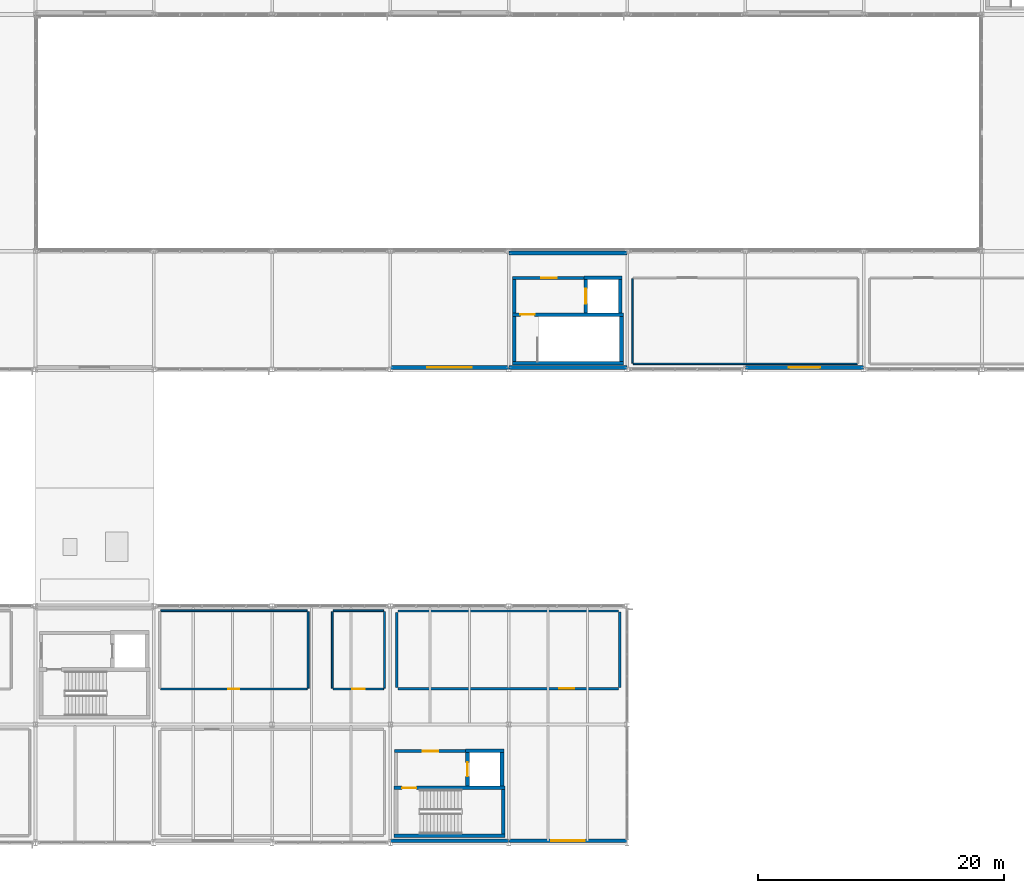
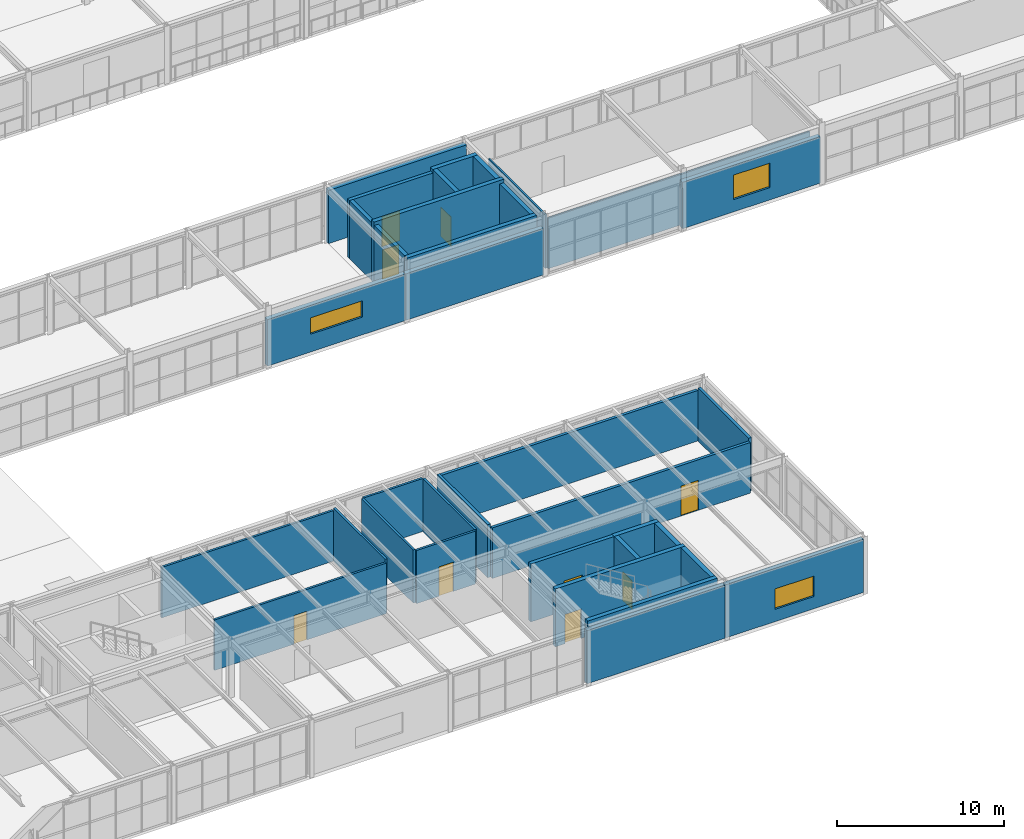
# One storey, part 152 of 170: 35 walls, 9 doors, 3 windows, 12 openings.
"""IFC4 building model written with IfcOpenShell, lengths in metres."""

import ifcopenshell
import ifcopenshell.guid

model = None  # the IFC model being written
_history = None  # IfcOwnerHistory: only IFC2X3 demands one
_inside = {}  # id of a spatial element -> (the spatial element, [elements in it])
_under = {}  # id of a project, library or spatial element -> (it, [spatial elements below it])
_declared = {}  # id of a project -> (the project, [libraries it declares])
_typed = {}  # id of a type object -> (the type object, [elements of that type])
_made_of = {}  # id of a material, layer set ... -> (it, [elements and type objects made of it])


def new_model(schema):
    """Start an empty IFC model of exactly this schema.

    Asked for "IFC4X3", IfcOpenShell would pick the latest addendum, in which some entities
    have other attributes; the version numbers below select the first issue.
    IFC2X3 requires an IfcOwnerHistory on every rooted entity: one is made here for all.
    """
    global model, _history
    if schema == "IFC4X3":
        model = ifcopenshell.file(schema_version=(4, 3, 0, 0))
    else:
        model = ifcopenshell.file(schema=schema)
    _inside.clear()
    _under.clear()
    _declared.clear()
    _typed.clear()
    _made_of.clear()
    _history = None
    if model.schema == "IFC2X3":
        org = make("IfcOrganization", Name="unknown")
        user = make(
            "IfcPersonAndOrganization",
            ThePerson=make("IfcPerson", FamilyName="unknown"),
            TheOrganization=org,
        )
        app = make(
            "IfcApplication",
            ApplicationDeveloper=org,
            Version="unknown",
            ApplicationFullName="unknown",
            ApplicationIdentifier="unknown",
        )
        _history = make(
            "IfcOwnerHistory",
            OwningUser=user,
            OwningApplication=app,
            ChangeAction="ADDED",
            CreationDate=0,
        )
    return model


def make(cls, **values):
    """One entity of the class cls with the attributes given. An attribute that is None is left unset."""
    return model.create_entity(
        cls, **{name: value for name, value in values.items() if value is not None}
    )


def rooted(cls, **values):
    """An entity with a GlobalId (a new one), such as an element, a storey or a relation."""
    return make(cls, GlobalId=ifcopenshell.guid.new(), OwnerHistory=_history, **values)


def si_unit(unit_type, name, prefix=None):
    """IfcSIUnit, for example si_unit("LENGTHUNIT", "METRE", prefix="MILLI")."""
    return make("IfcSIUnit", UnitType=unit_type, Prefix=prefix, Name=name)


def assignment(units):
    """IfcUnitAssignment: the units of a project."""
    return None if units is None else make("IfcUnitAssignment", Units=units)


def point(xyz):
    """IfcCartesianPoint."""
    return None if xyz is None else make("IfcCartesianPoint", Coordinates=xyz)


def direction(xyz):
    """IfcDirection."""
    return None if xyz is None else make("IfcDirection", DirectionRatios=xyz)


def frame(location, z_axis=None, x_axis=None):
    """IfcAxis2Placement3D, a coordinate frame: its origin and axes. An axis left out is left unset."""
    return make(
        "IfcAxis2Placement3D",
        Location=point(location),
        Axis=direction(z_axis),
        RefDirection=direction(x_axis),
    )


def frame_2d(location, x_axis=None):
    """IfcAxis2Placement2D, a coordinate frame in the plane: its origin and x axis."""
    return make(
        "IfcAxis2Placement2D", Location=point(location), RefDirection=direction(x_axis)
    )


def origin():
    """The frame at (0, 0, 0) with its axes left unset."""
    return frame((0.0, 0.0, 0.0))


def place(relative_to, where):
    """IfcLocalPlacement: puts the frame where relative to a parent placement (None: the world)."""
    return make(
        "IfcLocalPlacement", PlacementRelTo=relative_to, RelativePlacement=where
    )


def context(
    kind, dimensions, precision=None, world=None, true_north=None, identifier=None
):
    """IfcGeometricRepresentationContext, for example the 3D "Model" context."""
    return make(
        "IfcGeometricRepresentationContext",
        ContextIdentifier=identifier,
        ContextType=kind,
        CoordinateSpaceDimension=dimensions,
        Precision=precision,
        WorldCoordinateSystem=world,
        TrueNorth=true_north,
    )


def subcontext(parent, identifier, kind, view, scale=None):
    """IfcGeometricRepresentationSubContext, for example "Body" below "Model"."""
    return make(
        "IfcGeometricRepresentationSubContext",
        ContextIdentifier=identifier,
        ContextType=kind,
        ParentContext=parent,
        TargetScale=scale,
        TargetView=view,
    )


def project(units=None, contexts=None):
    """IfcProject with its units and contexts."""
    return rooted(
        "IfcProject",
        Name="project",
        RepresentationContexts=contexts,
        UnitsInContext=assignment(units),
    )


def spatial(cls, under=None, at=None, **own):
    """A site, building, storey or space (cls), placed at a placement, below another one or the project."""
    s = rooted(cls, ObjectPlacement=at, **own)
    if under is not None:
        _under.setdefault(under.id(), (under, []))[1].append(s)
    return s


def profile(cls, at=None, kind="AREA", **sizes):
    """A parametric profile (cls). Its sizes go by their IFC names, for example OverallWidth=200.0."""
    return make(cls, ProfileType=kind, Position=at, **sizes)


def rectangle(**sizes):
    """IfcRectangleProfileDef."""
    return profile("IfcRectangleProfileDef", **sizes)


def extrude(swept, where, along, depth):
    """IfcExtrudedAreaSolid: the profile swept, set in the frame where, extruded along a direction by depth."""
    return make(
        "IfcExtrudedAreaSolid",
        SweptArea=swept,
        Position=where,
        ExtrudedDirection=direction(along),
        Depth=depth,
    )


def shape(context_of_items, identifier, shape_type, items):
    """IfcShapeRepresentation: the items that make up one representation, for example the "Body"."""
    return make(
        "IfcShapeRepresentation",
        ContextOfItems=context_of_items,
        RepresentationIdentifier=identifier,
        RepresentationType=shape_type,
        Items=items,
    )


def material(Name=None, Category=None):
    """IfcMaterial."""
    return make("IfcMaterial", Name=Name, Category=Category)


def layer(
    of_material, thickness, ventilated=None, Name=None, Category=None, Priority=None
):
    """IfcMaterialLayer: one layer of a wall or slab, of a material (None: an air gap)."""
    return make(
        "IfcMaterialLayer",
        Material=of_material,
        LayerThickness=thickness,
        IsVentilated=ventilated,
        Name=Name,
        Category=Category,
        Priority=Priority,
    )


def layer_set(layers, Name=None):
    """IfcMaterialLayerSet."""
    return make("IfcMaterialLayerSet", MaterialLayers=layers, LayerSetName=Name)


def made_of(thing, what):
    """Note that an element or type object is made of a material, layer set ...; save() writes the relation."""
    if what is not None:
        _made_of.setdefault(what.id(), (what, []))[1].append(thing)
    return thing


def type_object(cls, material=None, **own):
    """A type object (cls), such as IfcWallType, which elements share."""
    return made_of(rooted(cls, **own), material)


def element(
    cls,
    number,
    at=None,
    inside=None,
    cuts=None,
    type_object=None,
    material=None,
    context=None,
    identifier="Body",
    shape_type=None,
    held_by="IfcProductDefinitionShape",
    body=None,
    shapes=None,
    **own,
):
    """One element of the class cls, such as IfcWall. Its Tag is "e" and its number.

    at: its placement. inside: the storey or other place that contains it. cuts: it is an
    opening in that element (IfcRelVoidsElement). A single representation is given by context,
    identifier, shape_type and body (its items); several are given by shapes. held_by: the class
    of the entity that holds the representations. save() writes the other relations.
    """
    e = rooted(cls, Tag="e%d" % number, ObjectPlacement=at, **own)
    if body is not None:
        shapes = [shape(context, identifier, shape_type, body)]
    if shapes is not None:
        e.Representation = make(held_by, Representations=shapes)
    if inside is not None:
        _inside.setdefault(inside.id(), (inside, []))[1].append(e)
    if cuts is not None:
        rooted(
            "IfcRelVoidsElement", RelatingBuildingElement=cuts, RelatedOpeningElement=e
        )
    if type_object is not None:
        _typed.setdefault(type_object.id(), (type_object, []))[1].append(e)
    return made_of(e, material)


def fill(opening, filler):
    """IfcRelFillsElement: the door or window that sits in an opening."""
    return rooted(
        "IfcRelFillsElement",
        RelatingOpeningElement=opening,
        RelatedBuildingElement=filler,
    )


def aggregate(whole, parts):
    """IfcRelAggregates: a whole, such as a stair, and the parts it consists of."""
    return rooted("IfcRelAggregates", RelatingObject=whole, RelatedObjects=parts)


def save(model, path):
    """Write the relations noted so far, then the file.

    IfcRelAggregates (storeys below a building ...), IfcRelContainedInSpatialStructure (elements
    in a storey), IfcRelDefinesByType, IfcRelAssociatesMaterial and IfcRelDeclares: one each for
    every whole, place, type object, material and project.
    """
    for whole, parts in _under.values():
        aggregate(whole, parts)
    for where, things in _inside.values():
        rooted(
            "IfcRelContainedInSpatialStructure",
            RelatedElements=things,
            RelatingStructure=where,
        )
    for kind, things in _typed.values():
        rooted("IfcRelDefinesByType", RelatedObjects=things, RelatingType=kind)
    for what, things in _made_of.values():
        rooted("IfcRelAssociatesMaterial", RelatedObjects=things, RelatingMaterial=what)
    for by, libraries in _declared.values():
        rooted("IfcRelDeclares", RelatingContext=by, RelatedDefinitions=libraries)
    model.write(path)


model = new_model("IFC4")

# Units and contexts
model_context = context("Model", 3, precision=1e-05, world=origin(), true_north=direction((0.0, 1.0)))
body_context = subcontext(model_context, "Body", "Model", "MODEL_VIEW")
ifc_project = project(units=[si_unit("LENGTHUNIT", "METRE"), si_unit("AREAUNIT", "SQUARE_METRE"), si_unit("VOLUMEUNIT", "CUBIC_METRE"), si_unit("PLANEANGLEUNIT", "RADIAN"), si_unit("MASSUNIT", "GRAM", prefix="KILO")], contexts=[model_context])

# Site, building, storey
site_placement = place(None, origin())
site = spatial("IfcSite", under=ifc_project, at=site_placement, CompositionType="ELEMENT")
building_placement = place(site_placement, origin())
building = spatial("IfcBuilding", under=site, at=building_placement, Name="Coralgate Yard Interchange", CompositionType="ELEMENT")
storey_placement = place(building_placement, frame((0.0, 0.0, 6.0)))
storey = spatial("IfcBuildingStorey", under=building, at=storey_placement, Name="L01", CompositionType="ELEMENT", Elevation=6.0)

# Wall
ifc_material_1 = material(Name="Concrete C40/50", Category="concrete")
ifc_layer_1 = layer(ifc_material_1, 0.300048828125)
ifc_layer_set_1 = layer_set([ifc_layer_1], Name="Concrete C40/50")
wall_type_1 = type_object("IfcWallType", Name="WAL-CW300", PredefinedType="SHEAR", material=ifc_layer_set_1)
wall_1_placement = place(storey_placement, frame((77.10009765625, 0.570068359375, 0.0), z_axis=(0.0, 0.0, 1.0), x_axis=(1.0, 0.0, 0.0)))
element("IfcWall", 1, at=wall_1_placement, inside=storey, type_object=wall_type_1, Name="C4 L01 stair south shear wall", PredefinedType="SHEAR", context=body_context, shape_type="SweptSolid", body=[
    extrude(rectangle(XDim=9.0, YDim=0.300048828125, at=frame_2d((4.5, 0.0))), origin(), (0.0, 0.0, 1.0), 4.25),
])

# Wall, opening, door
wall_2_placement = place(storey_placement, frame((86.10009765625, 4.449951171875, 0.0), z_axis=(0.0, 0.0, 1.0), x_axis=(-1.0, 0.0, 0.0)))
wall_2 = element("IfcWall", 2, at=wall_2_placement, inside=storey, type_object=wall_type_1, Name="C4 L01 stair north shear wall", PredefinedType="SHEAR", context=body_context, shape_type="SweptSolid", body=[
    extrude(rectangle(XDim=9.0, YDim=0.300048828125, at=frame_2d((4.5, 0.0))), origin(), (0.0, 0.0, 1.0), 4.25),
])
opening_1_placement = place(wall_2_placement, frame((7.199951171875, 0.0, 0.0)))
opening_1 = element("IfcOpeningElement", 3, at=opening_1_placement, cuts=wall_2, Name="Opening FD-1B", PredefinedType="OPENING", context=body_context, shape_type="SweptSolid", body=[
    extrude(rectangle(XDim=1.14990234375, YDim=2.14990234375, at=frame_2d((0.574951171875, 1.074951171875))), frame((0.0, 0.159912109375, 0.0), z_axis=(0.0, -1.0, 0.0), x_axis=(1.0, 0.0, 0.0)), (0.0, 0.0, 1.0), 0.320068359375),
])
ifc_material_2 = material(Name="Powder-coated steel fire door assembly", Category="steel")
door_type_1 = type_object("IfcDoorType", Name="DOR-FD-1B", OperationType="NOTDEFINED", PredefinedType="DOOR", material=ifc_material_2)
door_1_placement = place(opening_1_placement, frame((1.14990234375, 0.0, 0.0), z_axis=(0.0, 0.0, 1.0), x_axis=(-1.0, 0.0, 0.0)))
door_1 = element("IfcDoor", 4, at=door_1_placement, inside=storey, type_object=door_type_1, Name="C4 L01 stair fire door", OperationType="SINGLE_SWING_LEFT", OverallHeight=2.14990234375, OverallWidth=1.14990234375, PredefinedType="DOOR", context=body_context, shape_type="SweptSolid", body=[
    extrude(rectangle(XDim=1.14990234375, YDim=2.14990234375, at=frame_2d((0.574951171875, 1.074951171875))), frame((0.0, 0.02490234375, 0.0), z_axis=(0.0, -1.0, 0.0), x_axis=(1.0, 0.0, 0.0)), (0.0, 0.0, 1.0), 0.050048828125),
])
fill(opening_1, door_1)

# Wall
wall_3_placement = place(storey_placement, frame((85.949951171875, 4.300048828125, 0.0), z_axis=(0.0, 0.0, 1.0), x_axis=(0.0, -1.0, 0.0)))
element("IfcWall", 5, at=wall_3_placement, inside=storey, type_object=wall_type_1, Name="C4 L01 stair east shear wall", PredefinedType="SHEAR", context=body_context, shape_type="SweptSolid", body=[
    extrude(rectangle(XDim=3.580078125, YDim=0.300048828125, at=frame_2d((1.7900390625, 0.0))), origin(), (0.0, 0.0, 1.0), 4.25),
])

# Wall, opening, door
wall_4_placement = place(storey_placement, frame((83.050048828125, 7.300048828125, 0.0), z_axis=(0.0, 0.0, 1.0), x_axis=(0.0, -1.0, 0.0)))
wall_4 = element("IfcWall", 6, at=wall_4_placement, inside=storey, type_object=wall_type_1, Name="C4 L01 lift front shear wall", PredefinedType="SHEAR", context=body_context, shape_type="SweptSolid", body=[
    extrude(rectangle(XDim=2.699951171875, YDim=0.300048828125, at=frame_2d((1.35009765625, 0.0))), origin(), (0.0, 0.0, 1.0), 4.25),
])
opening_2_placement = place(wall_4_placement, frame((0.77490234375, 0.0, 0.0)))
opening_2 = element("IfcOpeningElement", 7, at=opening_2_placement, cuts=wall_4, Name="Opening LD-2", PredefinedType="OPENING", context=body_context, shape_type="SweptSolid", body=[
    extrude(rectangle(XDim=1.14990234375, YDim=2.10009765625, at=frame_2d((0.574951171875, 1.050048828125))), frame((0.0, 0.159912109375, 0.0), z_axis=(0.0, -1.0, 0.0), x_axis=(1.0, 0.0, 0.0)), (0.0, 0.0, 1.0), 0.320068359375),
])
ifc_material_3 = material(Name="Brushed stainless steel passenger lift landing door", Category="steel")
door_type_2 = type_object("IfcDoorType", Name="DOR-LD-2", OperationType="DOUBLE_DOOR_SLIDING", PredefinedType="DOOR", material=ifc_material_3)
door_2_placement = place(opening_2_placement, frame((1.14990234375, 0.0, 0.0), z_axis=(0.0, 0.0, 1.0), x_axis=(-1.0, 0.0, 0.0)))
door_2 = element("IfcDoor", 8, at=door_2_placement, inside=storey, type_object=door_type_2, Name="LF-02 L01 sliding lift landing door", OperationType="DOUBLE_DOOR_SLIDING", OverallHeight=2.10009765625, OverallWidth=1.14990234375, PredefinedType="DOOR", context=body_context, shape_type="SweptSolid", body=[
    extrude(rectangle(XDim=1.14990234375, YDim=2.10009765625, at=frame_2d((0.574951171875, 1.050048828125))), frame((0.0, 0.02490234375, 0.0), z_axis=(0.0, -1.0, 0.0), x_axis=(1.0, 0.0, 0.0)), (0.0, 0.0, 1.0), 0.050048828125),
])
fill(opening_2, door_2)

# Walls
wall_5_placement = place(storey_placement, frame((85.85009765625, 4.60009765625, 0.0), z_axis=(0.0, 0.0, 1.0), x_axis=(0.0, 1.0, 0.0)))
element("IfcWall", 9, at=wall_5_placement, inside=storey, type_object=wall_type_1, Name="C4 L01 lift rear shear wall", PredefinedType="SHEAR", context=body_context, shape_type="SweptSolid", body=[
    extrude(rectangle(XDim=2.699951171875, YDim=0.300048828125, at=frame_2d((1.35009765625, 0.0))), origin(), (0.0, 0.0, 1.0), 4.25),
])
wall_6_placement = place(storey_placement, frame((82.89990234375, 7.449951171875, 0.0), z_axis=(0.0, 0.0, 1.0), x_axis=(1.0, 0.0, 0.0)))
element("IfcWall", 10, at=wall_6_placement, inside=storey, type_object=wall_type_1, Name="C4 L01 lift north shear wall", PredefinedType="SHEAR", context=body_context, shape_type="SweptSolid", body=[
    extrude(rectangle(XDim=3.10009765625, YDim=0.300048828125, at=frame_2d((1.550048828125, 0.0))), origin(), (0.0, 0.0, 1.0), 4.25),
])
wall_7_placement = place(storey_placement, frame((86.699951171875, 38.89990234375, 0.0), z_axis=(0.0, 0.0, 1.0), x_axis=(1.0, 0.0, 0.0)))
element("IfcWall", 11, at=wall_7_placement, inside=storey, type_object=wall_type_1, Name="C6 L01 stair south shear wall", PredefinedType="SHEAR", context=body_context, shape_type="SweptSolid", body=[
    extrude(rectangle(XDim=9.0, YDim=0.300048828125, at=frame_2d((4.5, 0.0))), origin(), (0.0, 0.0, 1.0), 4.25),
])

# Wall, opening, door
wall_8_placement = place(storey_placement, frame((95.699951171875, 42.85009765625, 0.0), z_axis=(0.0, 0.0, 1.0), x_axis=(-1.0, 0.0, 0.0)))
wall_8 = element("IfcWall", 12, at=wall_8_placement, inside=storey, type_object=wall_type_1, Name="C6 L01 stair north shear wall", PredefinedType="SHEAR", context=body_context, shape_type="SweptSolid", body=[
    extrude(rectangle(XDim=9.0, YDim=0.300048828125, at=frame_2d((4.5, 0.0))), origin(), (0.0, 0.0, 1.0), 4.5),
])
opening_3_placement = place(wall_8_placement, frame((7.199951171875, 0.0, 0.0)))
opening_3 = element("IfcOpeningElement", 13, at=opening_3_placement, cuts=wall_8, Name="Opening FD-1B", PredefinedType="OPENING", context=body_context, shape_type="SweptSolid", body=[
    extrude(rectangle(XDim=1.14990234375, YDim=2.14990234375, at=frame_2d((0.574951171875, 1.074951171875))), frame((0.0, 0.159912109375, 0.0), z_axis=(0.0, -1.0, 0.0), x_axis=(1.0, 0.0, 0.0)), (0.0, 0.0, 1.0), 0.320068359375),
])
door_3_placement = place(opening_3_placement, frame((1.14990234375, 0.0, 0.0), z_axis=(0.0, 0.0, 1.0), x_axis=(-1.0, 0.0, 0.0)))
door_3 = element("IfcDoor", 14, at=door_3_placement, inside=storey, type_object=door_type_1, Name="C6 L01 stair fire door", OperationType="SINGLE_SWING_LEFT", OverallHeight=2.14990234375, OverallWidth=1.14990234375, PredefinedType="DOOR", context=body_context, shape_type="SweptSolid", body=[
    extrude(rectangle(XDim=1.14990234375, YDim=2.14990234375, at=frame_2d((0.574951171875, 1.074951171875))), frame((0.0, 0.02490234375, 0.0), z_axis=(0.0, -1.0, 0.0), x_axis=(1.0, 0.0, 0.0)), (0.0, 0.0, 1.0), 0.050048828125),
])
fill(opening_3, door_3)

# Walls
for number, where, z_axis, x_axis, name in (
    (15, (86.85009765625, 39.050048828125, 0.0), (0.0, 0.0, 1.0), (0.0, 1.0, 0.0), "C6 L01 stair west shear wall"),
    (16, (95.550048828125, 42.699951171875, 0.0), (0.0, 0.0, 1.0), (0.0, -1.0, 0.0), "C6 L01 stair east shear wall"),
):
    element("IfcWall", number, at=place(storey_placement, frame(where, z_axis=z_axis, x_axis=x_axis)), inside=storey, type_object=wall_type_1, Name=name, PredefinedType="SHEAR", context=body_context, shape_type="SweptSolid", body=[
        extrude(rectangle(XDim=3.64990234375, YDim=0.300048828125, at=frame_2d((1.824951171875, 0.0))), origin(), (0.0, 0.0, 1.0), 4.25),
    ])

# Wall, opening, door
wall_9_placement = place(storey_placement, frame((92.64990234375, 45.699951171875, 0.0), z_axis=(0.0, 0.0, 1.0), x_axis=(0.0, -1.0, 0.0)))
wall_9 = element("IfcWall", 17, at=wall_9_placement, inside=storey, type_object=wall_type_1, Name="C6 L01 lift front shear wall", PredefinedType="SHEAR", context=body_context, shape_type="SweptSolid", body=[
    extrude(rectangle(XDim=2.699951171875, YDim=0.300048828125, at=frame_2d((1.35009765625, 0.0))), origin(), (0.0, 0.0, 1.0), 4.5),
])
opening_4_placement = place(wall_9_placement, frame((0.739990234375, 0.0, 0.0)))
opening_4 = element("IfcOpeningElement", 18, at=opening_4_placement, cuts=wall_9, Name="Opening LD-3", PredefinedType="OPENING", context=body_context, shape_type="SweptSolid", body=[
    extrude(rectangle(XDim=1.219970703125, YDim=2.14990234375, at=frame_2d((0.60986328125, 1.074951171875))), frame((0.0, 0.159912109375, 0.0), z_axis=(0.0, -1.0, 0.0), x_axis=(1.0, 0.0, 0.0)), (0.0, 0.0, 1.0), 0.320068359375),
])
ifc_material_4 = material(Name="Brushed stainless steel concourse lift landing door", Category="steel")
door_type_3 = type_object("IfcDoorType", Name="DOR-LD-3", OperationType="DOUBLE_DOOR_SLIDING", PredefinedType="DOOR", material=ifc_material_4)
door_4_placement = place(opening_4_placement, frame((1.219970703125, 0.0, 0.0), z_axis=(0.0, 0.0, 1.0), x_axis=(-1.0, 0.0, 0.0)))
door_4 = element("IfcDoor", 19, at=door_4_placement, inside=storey, type_object=door_type_3, Name="LF-04 L01 sliding lift landing door", OperationType="DOUBLE_DOOR_SLIDING", OverallHeight=2.14990234375, OverallWidth=1.219970703125, PredefinedType="DOOR", context=body_context, shape_type="SweptSolid", body=[
    extrude(rectangle(XDim=1.219970703125, YDim=2.14990234375, at=frame_2d((0.60986328125, 1.074951171875))), frame((0.0, 0.02490234375, 0.0), z_axis=(0.0, -1.0, 0.0), x_axis=(1.0, 0.0, 0.0)), (0.0, 0.0, 1.0), 0.050048828125),
])
fill(opening_4, door_4)

# Walls
wall_10_placement = place(storey_placement, frame((95.449951171875, 43.0, 0.0), z_axis=(0.0, 0.0, 1.0), x_axis=(0.0, 1.0, 0.0)))
element("IfcWall", 20, at=wall_10_placement, inside=storey, type_object=wall_type_1, Name="C6 L01 lift rear shear wall", PredefinedType="SHEAR", context=body_context, shape_type="SweptSolid", body=[
    extrude(rectangle(XDim=2.699951171875, YDim=0.300048828125, at=frame_2d((1.35009765625, 0.0))), origin(), (0.0, 0.0, 1.0), 4.5),
])
wall_11_placement = place(storey_placement, frame((92.5, 45.85009765625, 0.0), z_axis=(0.0, 0.0, 1.0), x_axis=(1.0, 0.0, 0.0)))
element("IfcWall", 21, at=wall_11_placement, inside=storey, type_object=wall_type_1, Name="C6 L01 lift north shear wall", PredefinedType="SHEAR", context=body_context, shape_type="SweptSolid", body=[
    extrude(rectangle(XDim=3.10009765625, YDim=0.300048828125, at=frame_2d((1.550048828125, 0.0))), origin(), (0.0, 0.0, 1.0), 4.5),
])
ifc_material_5 = material(Name="Precast concrete C40/50", Category="concrete")
ifc_layer_2 = layer(ifc_material_5, 0.320068359375)
ifc_layer_set_2 = layer_set([ifc_layer_2], Name="Precast concrete C40/50")
wall_type_2 = type_object("IfcWallType", Name="WAL-EW-320", PredefinedType="SOLIDWALL", material=ifc_layer_set_2)
wall_12_placement = place(storey_placement, frame((86.3798828125, 0.159912109375, 0.0), z_axis=(0.0, 0.0, 1.0), x_axis=(-1.0, 0.0, 0.0)))
element("IfcWall", 22, at=wall_12_placement, inside=storey, type_object=wall_type_2, Name="L01 exterior coastal wall S 8-0", PredefinedType="SOLIDWALL", context=body_context, shape_type="SweptSolid", body=[
    extrude(rectangle(XDim=9.559814453125, YDim=0.320068359375, at=frame_2d((4.77978515625, 0.0))), origin(), (0.0, 0.0, 1.0), 3.89990234375),
])

# Wall, opening, window
wall_13_placement = place(storey_placement, frame((86.3798828125, 38.56005859375, 0.0), z_axis=(0.0, 0.0, 1.0), x_axis=(-1.0, 0.0, 0.0)))
wall_13 = element("IfcWall", 23, at=wall_13_placement, inside=storey, type_object=wall_type_2, Name="L01 exterior coastal wall S 8-4", PredefinedType="SOLIDWALL", context=body_context, shape_type="SweptSolid", body=[
    extrude(rectangle(XDim=9.559814453125, YDim=0.320068359375, at=frame_2d((4.77978515625, 0.0))), origin(), (0.0, 0.0, 1.0), 3.4091796875),
])
opening_5_placement = place(wall_13_placement, frame((2.97998046875, 0.0, 1.300048828125)))
opening_5 = element("IfcOpeningElement", 24, at=opening_5_placement, cuts=wall_13, Name="Opening W-10", PredefinedType="OPENING", context=body_context, shape_type="SweptSolid", body=[
    extrude(rectangle(XDim=3.60009765625, YDim=1.199951171875, at=frame_2d((1.800048828125, 0.60009765625))), frame((0.0, 0.169921875, 0.0), z_axis=(0.0, -1.0, 0.0), x_axis=(1.0, 0.0, 0.0)), (0.0, 0.0, 1.0), 0.340087890625),
])
ifc_material_6 = material(Name="Thermally broken anodised aluminium and solar-control low-E glass", Category="aluminium")
window_type_1 = type_object("IfcWindowType", Name="WIN-W-10", PartitioningType="SINGLE_PANEL", PredefinedType="WINDOW", material=ifc_material_6)
window_1_placement = place(opening_5_placement, origin())
window_1 = element("IfcWindow", 25, at=window_1_placement, inside=storey, type_object=window_type_1, Name="L01 coastal facade window S-8-4", OverallHeight=1.199951171875, OverallWidth=3.60009765625, PartitioningType="SINGLE_PANEL", PredefinedType="WINDOW", context=body_context, shape_type="SweptSolid", body=[
    extrude(rectangle(XDim=3.60009765625, YDim=1.199951171875, at=frame_2d((1.800048828125, 0.60009765625))), frame((0.0, 0.030029296875, 0.0), z_axis=(0.0, -1.0, 0.0), x_axis=(1.0, 0.0, 0.0)), (0.0, 0.0, 1.0), 0.06005859375),
])
fill(opening_5, window_1)

wall_14_placement = place(storey_placement, frame((95.97998046875, 0.159912109375, 0.0), z_axis=(0.0, 0.0, 1.0), x_axis=(-1.0, 0.0, 0.0)))
wall_14 = element("IfcWall", 26, at=wall_14_placement, inside=storey, type_object=wall_type_2, Name="L01 exterior coastal wall S 9-0", PredefinedType="SOLIDWALL", context=body_context, shape_type="SweptSolid", body=[
    extrude(rectangle(XDim=9.56005859375, YDim=0.320068359375, at=frame_2d((4.780029296875, 0.0))), origin(), (0.0, 0.0, 1.0), 3.89990234375),
])
opening_6_placement = place(wall_14_placement, frame((3.429931640625, 0.0, 0.89990234375)))
opening_6 = element("IfcOpeningElement", 27, at=opening_6_placement, cuts=wall_14, Name="Opening W-09", PredefinedType="OPENING", context=body_context, shape_type="SweptSolid", body=[
    extrude(rectangle(XDim=2.699951171875, YDim=1.5, at=frame_2d((1.35009765625, 0.75))), frame((0.0, 0.169921875, 0.0), z_axis=(0.0, -1.0, 0.0), x_axis=(1.0, 0.0, 0.0)), (0.0, 0.0, 1.0), 0.340087890625),
])
window_type_2 = type_object("IfcWindowType", Name="WIN-W-09", PartitioningType="SINGLE_PANEL", PredefinedType="WINDOW", material=ifc_material_6)
window_2_placement = place(opening_6_placement, origin())
window_2 = element("IfcWindow", 28, at=window_2_placement, inside=storey, type_object=window_type_2, Name="L01 coastal facade window S-9-0", OverallHeight=1.5, OverallWidth=2.699951171875, PartitioningType="SINGLE_PANEL", PredefinedType="WINDOW", context=body_context, shape_type="SweptSolid", body=[
    extrude(rectangle(XDim=2.699951171875, YDim=1.5, at=frame_2d((1.35009765625, 0.75))), frame((0.0, 0.030029296875, 0.0), z_axis=(0.0, -1.0, 0.0), x_axis=(1.0, 0.0, 0.0)), (0.0, 0.0, 1.0), 0.06005859375),
])
fill(opening_6, window_2)

# Walls
wall_15_placement = place(storey_placement, frame((95.97998046875, 38.56005859375, 0.0), z_axis=(0.0, 0.0, 1.0), x_axis=(-1.0, 0.0, 0.0)))
element("IfcWall", 29, at=wall_15_placement, inside=storey, type_object=wall_type_2, Name="L01 exterior coastal wall S 9-4", PredefinedType="SOLIDWALL", context=body_context, shape_type="SweptSolid", body=[
    extrude(rectangle(XDim=9.56005859375, YDim=0.320068359375, at=frame_2d((4.780029296875, 0.0))), origin(), (0.0, 0.0, 1.0), 3.4091796875),
])
wall_16_placement = place(storey_placement, frame((86.419921875, 47.840087890625, 0.0), z_axis=(0.0, 0.0, 1.0), x_axis=(1.0, 0.0, 0.0)))
element("IfcWall", 30, at=wall_16_placement, inside=storey, type_object=wall_type_2, Name="L01 exterior coastal wall N 9-4", PredefinedType="SOLIDWALL", context=body_context, shape_type="SweptSolid", body=[
    extrude(rectangle(XDim=9.56005859375, YDim=0.320068359375, at=frame_2d((4.780029296875, 0.0))), origin(), (0.0, 0.0, 1.0), 3.89990234375),
])

# Wall, opening, window
wall_17_placement = place(storey_placement, frame((115.179931640625, 38.56005859375, 0.0), z_axis=(0.0, 0.0, 1.0), x_axis=(-1.0, 0.0, 0.0)))
wall_17 = element("IfcWall", 31, at=wall_17_placement, inside=storey, type_object=wall_type_2, Name="L01 exterior coastal wall S 11-4", PredefinedType="SOLIDWALL", context=body_context, shape_type="SweptSolid", body=[
    extrude(rectangle(XDim=9.559814453125, YDim=0.320068359375, at=frame_2d((4.77978515625, 0.0))), origin(), (0.0, 0.0, 1.0), 3.4091796875),
])
opening_7_placement = place(wall_17_placement, frame((3.5048828125, 0.0, 0.89990234375)))
opening_7 = element("IfcOpeningElement", 32, at=opening_7_placement, cuts=wall_17, Name="Opening W-19", PredefinedType="OPENING", context=body_context, shape_type="SweptSolid", body=[
    extrude(rectangle(XDim=2.550048828125, YDim=1.800048828125, at=frame_2d((1.27490234375, 0.89990234375))), frame((0.0, 0.169921875, 0.0), z_axis=(0.0, -1.0, 0.0), x_axis=(1.0, 0.0, 0.0)), (0.0, 0.0, 1.0), 0.340087890625),
])
window_type_3 = type_object("IfcWindowType", Name="WIN-W-19", PartitioningType="SINGLE_PANEL", PredefinedType="WINDOW", material=ifc_material_6)
window_3_placement = place(opening_7_placement, origin())
window_3 = element("IfcWindow", 33, at=window_3_placement, inside=storey, type_object=window_type_3, Name="L01 coastal facade window S-11-4", OverallHeight=1.800048828125, OverallWidth=2.550048828125, PartitioningType="SINGLE_PANEL", PredefinedType="WINDOW", context=body_context, shape_type="SweptSolid", body=[
    extrude(rectangle(XDim=2.550048828125, YDim=1.800048828125, at=frame_2d((1.27490234375, 0.89990234375))), frame((0.0, 0.030029296875, 0.0), z_axis=(0.0, -1.0, 0.0), x_axis=(1.0, 0.0, 0.0)), (0.0, 0.0, 1.0), 0.06005859375),
])
fill(opening_7, window_3)

# Walls
ifc_material_7 = material(Name="Lightweight steel-stud retail partition", Category="steel")
ifc_layer_3 = layer(ifc_material_7, 0.1201171875)
ifc_layer_set_3 = layer_set([ifc_layer_3], Name="Lightweight steel-stud retail partition")
wall_type_3 = type_object("IfcWallType", Name="WAL-PW-120", PredefinedType="PARTITIONING", material=ifc_layer_set_3)
wall_18_placement = place(storey_placement, frame((114.679931640625, 38.860107421875, 0.0), z_axis=(0.0, 0.0, 1.0), x_axis=(-1.0, 0.0, 0.0)))
element("IfcWall", 34, at=wall_18_placement, inside=storey, type_object=wall_type_3, Name="Mezzanine Concourse Retail 05 partition S", PredefinedType="PARTITIONING", context=body_context, shape_type="SweptSolid", body=[
    extrude(rectangle(XDim=18.159912109375, YDim=0.1201171875, at=frame_2d((9.080078125, 0.0))), origin(), (0.0, 0.0, 1.0), 3.706787109375),
])
wall_19_placement = place(storey_placement, frame((96.4599609375, 38.919921875, 0.0), z_axis=(0.0, 0.0, 1.0), x_axis=(0.0, 1.0, 0.0)))
element("IfcWall", 35, at=wall_19_placement, inside=storey, type_object=wall_type_3, Name="Mezzanine Concourse Retail 05 partition W", PredefinedType="PARTITIONING", context=body_context, shape_type="SweptSolid", body=[
    extrude(rectangle(XDim=6.860107421875, YDim=0.1201171875, at=frame_2d((3.43017578125, 0.0))), origin(), (0.0, 0.0, 1.0), 3.889892578125),
])

# Wall, opening, door
ifc_material_8 = material(Name="Moisture-resistant masonry washroom wall", Category="masonry")
ifc_layer_4 = layer(ifc_material_8, 0.14990234375)
ifc_layer_set_4 = layer_set([ifc_layer_4], Name="Moisture-resistant masonry washroom wall")
wall_type_4 = type_object("IfcWallType", Name="WAL-PW-150", PredefinedType="PLUMBINGWALL", material=ifc_layer_set_4)
wall_20_placement = place(storey_placement, frame((70.050048828125, 12.47509765625, 0.0), z_axis=(0.0, 0.0, 1.0), x_axis=(-1.0, 0.0, 0.0)))
wall_20 = element("IfcWall", 36, at=wall_20_placement, inside=storey, type_object=wall_type_4, Name="L01 Staff and Mezzanine Washroom partition S", PredefinedType="PLUMBINGWALL", context=body_context, shape_type="SweptSolid", body=[
    extrude(rectangle(XDim=11.900146484375, YDim=0.14990234375, at=frame_2d((5.9501953125, 0.0))), origin(), (0.0, 0.0, 1.0), 3.706787109375),
])
opening_8_placement = place(wall_20_placement, frame((5.5, 0.0, 0.0)))
opening_8 = element("IfcOpeningElement", 37, at=opening_8_placement, cuts=wall_20, Name="Opening ID-10", PredefinedType="OPENING", context=body_context, shape_type="SweptSolid", body=[
    extrude(rectangle(XDim=0.89990234375, YDim=2.10009765625, at=frame_2d((0.449951171875, 1.050048828125))), frame((0.0, 0.0849609375, 0.0), z_axis=(0.0, -1.0, 0.0), x_axis=(1.0, 0.0, 0.0)), (0.0, 0.0, 1.0), 0.169921875),
])
ifc_material_9 = material(Name="Moisture-resistant laminate washroom door")
door_type_4 = type_object("IfcDoorType", Name="DOR-ID-10", OperationType="NOTDEFINED", PredefinedType="DOOR", material=ifc_material_9)
door_5_placement = place(opening_8_placement, frame((0.89990234375, 0.0, 0.0), z_axis=(0.0, 0.0, 1.0), x_axis=(-1.0, 0.0, 0.0)))
door_5 = element("IfcDoor", 38, at=door_5_placement, inside=storey, type_object=door_type_4, Name="L01 Staff and Mezzanine Washroom door", OperationType="SINGLE_SWING_LEFT", OverallHeight=2.10009765625, OverallWidth=0.89990234375, PredefinedType="DOOR", context=body_context, shape_type="SweptSolid", body=[
    extrude(rectangle(XDim=0.89990234375, YDim=2.10009765625, at=frame_2d((0.449951171875, 1.050048828125))), frame((0.0, 0.02490234375, 0.0), z_axis=(0.0, -1.0, 0.0), x_axis=(1.0, 0.0, 0.0)), (0.0, 0.0, 1.0), 0.050048828125),
])
fill(opening_8, door_5)

# Walls
wall_21_placement = place(storey_placement, frame((58.14990234375, 18.824951171875, 0.0), z_axis=(0.0, 0.0, 1.0), x_axis=(1.0, 0.0, 0.0)))
element("IfcWall", 39, at=wall_21_placement, inside=storey, type_object=wall_type_4, Name="L01 Staff and Mezzanine Washroom partition N", PredefinedType="PLUMBINGWALL", context=body_context, shape_type="SweptSolid", body=[
    extrude(rectangle(XDim=11.900146484375, YDim=0.14990234375, at=frame_2d((5.9501953125, 0.0))), origin(), (0.0, 0.0, 1.0), 3.706787109375),
])
wall_22_placement = place(storey_placement, frame((70.125, 18.75, 0.0), z_axis=(0.0, 0.0, 1.0), x_axis=(0.0, -1.0, 0.0)))
element("IfcWall", 40, at=wall_22_placement, inside=storey, type_object=wall_type_4, Name="L01 Staff and Mezzanine Washroom partition E", PredefinedType="PLUMBINGWALL", context=body_context, shape_type="SweptSolid", body=[
    extrude(rectangle(XDim=6.199951171875, YDim=0.14990234375, at=frame_2d((3.10009765625, 0.0))), origin(), (0.0, 0.0, 1.0), 3.889892578125),
])

# Wall, opening, door
wall_23_placement = place(storey_placement, frame((76.25, 12.47509765625, 0.0), z_axis=(0.0, 0.0, 1.0), x_axis=(-1.0, 0.0, 0.0)))
wall_23 = element("IfcWall", 41, at=wall_23_placement, inside=storey, type_object=wall_type_4, Name="L01 Accessible WC partition S", PredefinedType="PLUMBINGWALL", context=body_context, shape_type="SweptSolid", body=[
    extrude(rectangle(XDim=4.10009765625, YDim=0.14990234375, at=frame_2d((2.050048828125, 0.0))), origin(), (0.0, 0.0, 1.0), 3.889892578125),
])
opening_9_placement = place(wall_23_placement, frame((1.550048828125, 0.0, 0.0)))
opening_9 = element("IfcOpeningElement", 42, at=opening_9_placement, cuts=wall_23, Name="Opening ID-02", PredefinedType="OPENING", context=body_context, shape_type="SweptSolid", body=[
    extrude(rectangle(XDim=1.0, YDim=2.14990234375, at=frame_2d((0.5, 1.074951171875))), frame((0.0, 0.0849609375, 0.0), z_axis=(0.0, -1.0, 0.0), x_axis=(1.0, 0.0, 0.0)), (0.0, 0.0, 1.0), 0.169921875),
])
ifc_material_10 = material(Name="Accessible wide-leaf washroom and office door")
door_type_5 = type_object("IfcDoorType", Name="DOR-ID-02", OperationType="NOTDEFINED", PredefinedType="DOOR", material=ifc_material_10)
door_6_placement = place(opening_9_placement, frame((1.0, 0.0, 0.0), z_axis=(0.0, 0.0, 1.0), x_axis=(-1.0, 0.0, 0.0)))
door_6 = element("IfcDoor", 43, at=door_6_placement, inside=storey, type_object=door_type_5, Name="L01 Accessible WC door", OperationType="SINGLE_SWING_RIGHT", OverallHeight=2.14990234375, OverallWidth=1.0, PredefinedType="DOOR", context=body_context, shape_type="SweptSolid", body=[
    extrude(rectangle(XDim=1.0, YDim=2.14990234375, at=frame_2d((0.5, 1.074951171875))), frame((0.0, 0.02490234375, 0.0), z_axis=(0.0, -1.0, 0.0), x_axis=(1.0, 0.0, 0.0)), (0.0, 0.0, 1.0), 0.050048828125),
])
fill(opening_9, door_6)

# Walls
wall_24_placement = place(storey_placement, frame((72.14990234375, 18.824951171875, 0.0), z_axis=(0.0, 0.0, 1.0), x_axis=(1.0, 0.0, 0.0)))
element("IfcWall", 44, at=wall_24_placement, inside=storey, type_object=wall_type_4, Name="L01 Accessible WC partition N", PredefinedType="PLUMBINGWALL", context=body_context, shape_type="SweptSolid", body=[
    extrude(rectangle(XDim=4.10009765625, YDim=0.14990234375, at=frame_2d((2.050048828125, 0.0))), origin(), (0.0, 0.0, 1.0), 3.889892578125),
])
for number, where, z_axis, x_axis, name in (
    (45, (72.074951171875, 12.550048828125, 0.0), (0.0, 0.0, 1.0), (0.0, 1.0, 0.0), "L01 Accessible WC partition W"),
    (46, (76.324951171875, 18.75, 0.0), (0.0, 0.0, 1.0), (0.0, -1.0, 0.0), "L01 Accessible WC partition E"),
):
    element("IfcWall", number, at=place(storey_placement, frame(where, z_axis=z_axis, x_axis=x_axis)), inside=storey, type_object=wall_type_4, Name=name, PredefinedType="PLUMBINGWALL", context=body_context, shape_type="SweptSolid", body=[
        extrude(rectangle(XDim=6.199951171875, YDim=0.14990234375, at=frame_2d((3.10009765625, 0.0))), origin(), (0.0, 0.0, 1.0), 3.889892578125),
    ])

# Wall, opening, door
ifc_material_11 = material(Name="Concrete blockwork masonry", Category="masonry")
ifc_layer_5 = layer(ifc_material_11, 0.199951171875)
ifc_layer_set_5 = layer_set([ifc_layer_5], Name="Concrete blockwork masonry")
wall_type_5 = type_object("IfcWallType", Name="WAL-PW-200", PredefinedType="PARTITIONING", material=ifc_layer_set_5)
wall_25_placement = place(storey_placement, frame((95.300048828125, 12.5, 0.0), z_axis=(0.0, 0.0, 1.0), x_axis=(-1.0, 0.0, 0.0)))
wall_25 = element("IfcWall", 47, at=wall_25_placement, inside=storey, type_object=wall_type_5, Name="Ticket Stock and Smartcard Vault partition S", PredefinedType="PARTITIONING", context=body_context, shape_type="SweptSolid", body=[
    extrude(rectangle(XDim=17.900146484375, YDim=0.199951171875, at=frame_2d((8.9501953125, 0.0))), origin(), (0.0, 0.0, 1.0), 3.706787109375),
])
opening_10_placement = place(wall_25_placement, frame((3.60009765625, 0.0, 0.0)))
opening_10 = element("IfcOpeningElement", 48, at=opening_10_placement, cuts=wall_25, Name="Opening ID-05", PredefinedType="OPENING", context=body_context, shape_type="SweptSolid", body=[
    extrude(rectangle(XDim=1.199951171875, YDim=2.199951171875, at=frame_2d((0.60009765625, 1.10009765625))), frame((0.0, 0.10986328125, 0.0), z_axis=(0.0, -1.0, 0.0), x_axis=(1.0, 0.0, 0.0)), (0.0, 0.0, 1.0), 0.219970703125),
])
ifc_material_12 = material(Name="Powder-coated steel plant and store fire door", Category="steel")
door_type_6 = type_object("IfcDoorType", Name="DOR-ID-05", OperationType="NOTDEFINED", PredefinedType="DOOR", material=ifc_material_12)
door_7_placement = place(opening_10_placement, frame((1.199951171875, 0.0, 0.0), z_axis=(0.0, 0.0, 1.0), x_axis=(-1.0, 0.0, 0.0)))
door_7 = element("IfcDoor", 49, at=door_7_placement, inside=storey, type_object=door_type_6, Name="Ticket Stock and Smartcard Vault door", OperationType="SINGLE_SWING_RIGHT", OverallHeight=2.199951171875, OverallWidth=1.199951171875, PredefinedType="DOOR", context=body_context, shape_type="SweptSolid", body=[
    extrude(rectangle(XDim=1.199951171875, YDim=2.199951171875, at=frame_2d((0.60009765625, 1.10009765625))), frame((0.0, 0.02490234375, 0.0), z_axis=(0.0, -1.0, 0.0), x_axis=(1.0, 0.0, 0.0)), (0.0, 0.0, 1.0), 0.050048828125),
])
fill(opening_10, door_7)

# Walls
wall_26_placement = place(storey_placement, frame((77.39990234375, 18.800048828125, 0.0), z_axis=(0.0, 0.0, 1.0), x_axis=(1.0, 0.0, 0.0)))
element("IfcWall", 50, at=wall_26_placement, inside=storey, type_object=wall_type_5, Name="Ticket Stock and Smartcard Vault partition N", PredefinedType="PARTITIONING", context=body_context, shape_type="SweptSolid", body=[
    extrude(rectangle(XDim=17.900146484375, YDim=0.199951171875, at=frame_2d((8.9501953125, 0.0))), origin(), (0.0, 0.0, 1.0), 3.706787109375),
])
for number, where, z_axis, x_axis, name in (
    (51, (77.300048828125, 12.60009765625, 0.0), (0.0, 0.0, 1.0), (0.0, 1.0, 0.0), "Ticket Stock and Smartcard Vault partition W"),
    (52, (95.39990234375, 18.699951171875, 0.0), (0.0, 0.0, 1.0), (0.0, -1.0, 0.0), "Ticket Stock and Smartcard Vault partition E"),
):
    element("IfcWall", number, at=place(storey_placement, frame(where, z_axis=z_axis, x_axis=x_axis)), inside=storey, type_object=wall_type_5, Name=name, PredefinedType="PARTITIONING", context=body_context, shape_type="SweptSolid", body=[
        extrude(rectangle(XDim=6.099853515625, YDim=0.199951171875, at=frame_2d((3.0498046875, 0.0))), origin(), (0.0, 0.0, 1.0), 3.889892578125),
    ])

# Wall, opening, door
ifc_layer_6 = layer(ifc_material_1, 0.25)
ifc_layer_set_6 = layer_set([ifc_layer_6], Name="Concrete C40/50")
wall_type_6 = type_object("IfcWallType", Name="WAL-SW250", PredefinedType="SHEAR", material=ifc_layer_set_6)
wall_27_placement = place(storey_placement, frame((82.89990234375, 7.425048828125, 0.0), z_axis=(0.0, 0.0, 1.0), x_axis=(-1.0, 0.0, 0.0)))
wall_27 = element("IfcWall", 53, at=wall_27_placement, inside=storey, type_object=wall_type_6, Name="C4 L01 lobby north fire wall", PredefinedType="SHEAR", context=body_context, shape_type="SweptSolid", body=[
    extrude(rectangle(XDim=5.77490234375, YDim=0.25, at=frame_2d((2.887451171875, 0.0))), origin(), (0.0, 0.0, 1.0), 4.25),
])
opening_11_placement = place(wall_27_placement, frame((2.199951171875, 0.0, 0.0)))
opening_11 = element("IfcOpeningElement", 54, at=opening_11_placement, cuts=wall_27, Name="Opening FD-2B", PredefinedType="OPENING", context=body_context, shape_type="SweptSolid", body=[
    extrude(rectangle(XDim=1.280029296875, YDim=2.199951171875, at=frame_2d((0.64013671875, 1.10009765625))), frame((0.0, 0.135009765625, 0.0), z_axis=(0.0, -1.0, 0.0), x_axis=(1.0, 0.0, 0.0)), (0.0, 0.0, 1.0), 0.27001953125),
])
door_type_7 = type_object("IfcDoorType", Name="DOR-FD-2B", OperationType="NOTDEFINED", PredefinedType="DOOR", material=ifc_material_2)
door_8_placement = place(opening_11_placement, origin())
door_8 = element("IfcDoor", 55, at=door_8_placement, inside=storey, type_object=door_type_7, Name="C4 L01 lobby fire door", OperationType="SINGLE_SWING_RIGHT", OverallHeight=2.199951171875, OverallWidth=1.280029296875, PredefinedType="DOOR", context=body_context, shape_type="SweptSolid", body=[
    extrude(rectangle(XDim=1.280029296875, YDim=2.199951171875, at=frame_2d((0.64013671875, 1.10009765625))), frame((0.0, 0.02490234375, 0.0), z_axis=(0.0, -1.0, 0.0), x_axis=(1.0, 0.0, 0.0)), (0.0, 0.0, 1.0), 0.050048828125),
])
fill(opening_11, door_8)

wall_28_placement = place(storey_placement, frame((92.5, 45.824951171875, 0.0), z_axis=(0.0, 0.0, 1.0), x_axis=(-1.0, 0.0, 0.0)))
wall_28 = element("IfcWall", 56, at=wall_28_placement, inside=storey, type_object=wall_type_6, Name="C6 L01 lobby north fire wall", PredefinedType="SHEAR", context=body_context, shape_type="SweptSolid", body=[
    extrude(rectangle(XDim=5.77490234375, YDim=0.25, at=frame_2d((2.887451171875, 0.0))), origin(), (0.0, 0.0, 1.0), 4.25),
])
opening_12_placement = place(wall_28_placement, frame((2.199951171875, 0.0, 0.0)))
opening_12 = element("IfcOpeningElement", 57, at=opening_12_placement, cuts=wall_28, Name="Opening FD-2B", PredefinedType="OPENING", context=body_context, shape_type="SweptSolid", body=[
    extrude(rectangle(XDim=1.280029296875, YDim=2.199951171875, at=frame_2d((0.64013671875, 1.10009765625))), frame((0.0, 0.135009765625, 0.0), z_axis=(0.0, -1.0, 0.0), x_axis=(1.0, 0.0, 0.0)), (0.0, 0.0, 1.0), 0.27001953125),
])
door_9_placement = place(opening_12_placement, origin())
door_9 = element("IfcDoor", 58, at=door_9_placement, inside=storey, type_object=door_type_7, Name="C6 L01 lobby fire door", OperationType="SINGLE_SWING_RIGHT", OverallHeight=2.199951171875, OverallWidth=1.280029296875, PredefinedType="DOOR", context=body_context, shape_type="SweptSolid", body=[
    extrude(rectangle(XDim=1.280029296875, YDim=2.199951171875, at=frame_2d((0.64013671875, 1.10009765625))), frame((0.0, 0.02490234375, 0.0), z_axis=(0.0, -1.0, 0.0), x_axis=(1.0, 0.0, 0.0)), (0.0, 0.0, 1.0), 0.050048828125),
])
fill(opening_12, door_9)

# Wall
wall_29_placement = place(storey_placement, frame((86.85009765625, 43.0, 0.0), z_axis=(0.0, 0.0, 1.0), x_axis=(0.0, 1.0, 0.0)))
element("IfcWall", 59, at=wall_29_placement, inside=storey, type_object=wall_type_6, Name="C6 L01 lobby west fire wall", PredefinedType="SHEAR", context=body_context, shape_type="SweptSolid", body=[
    extrude(rectangle(XDim=2.699951171875, YDim=0.25, at=frame_2d((1.35009765625, 0.0))), origin(), (0.0, 0.0, 1.0), 4.25),
])

save(model, "model.ifc")
